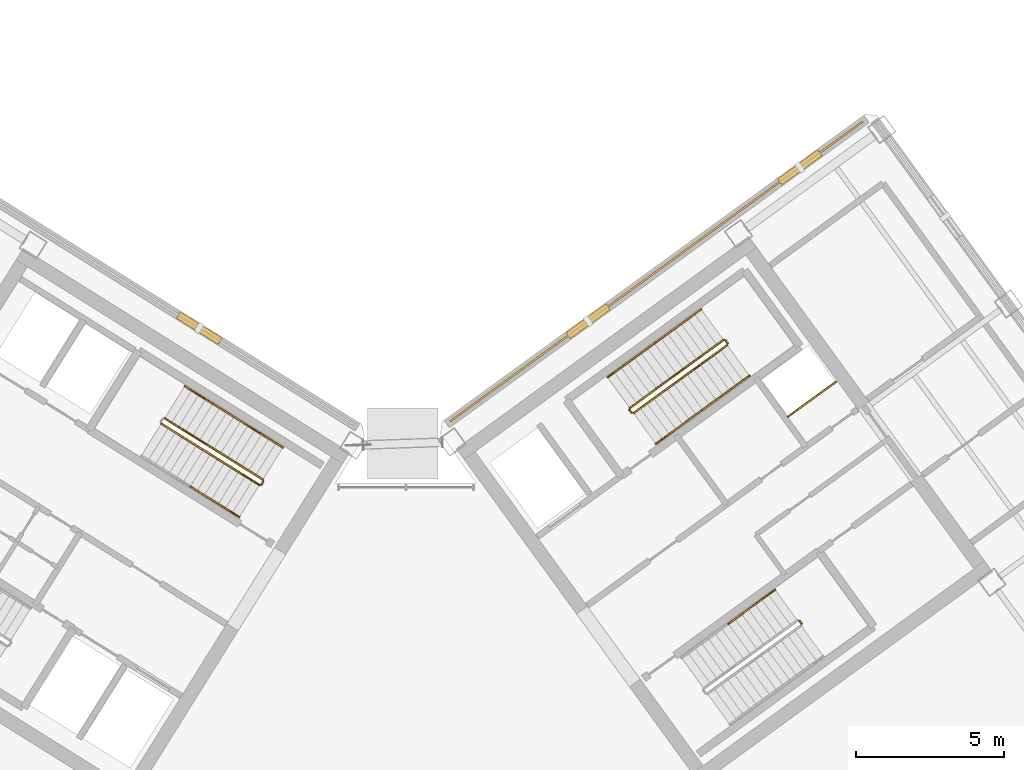
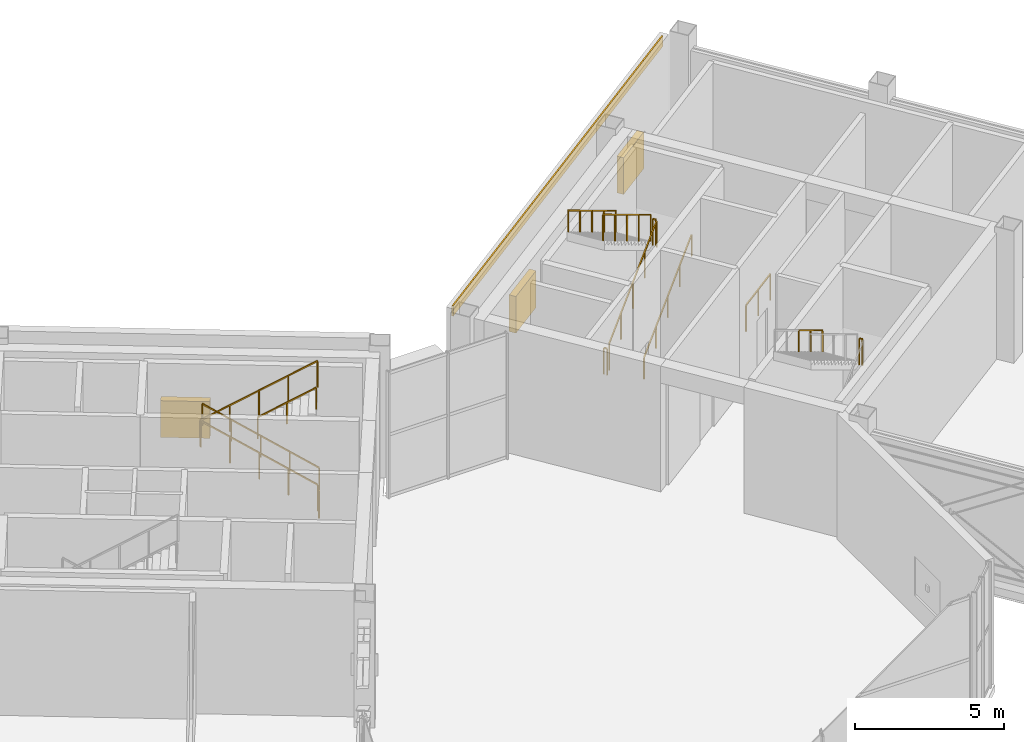
# One storey, part 31 of 32: 17 railings, 3 shading devices, 1 covering.
"""IFC4 building model written with IfcOpenShell, lengths in metres."""

from ifc_helpers import new_model, si_unit, direction, frame, origin, origin_2d, place, context, subcontext, project, spatial, rectangle, extrude, source, transform, mapped, material, layer, layer_set, type_object, element, save


model = new_model("IFC4")

# Units and contexts
model_context = context("Model", 3, precision=1e-05, world=origin(), true_north=direction((0.0, 1.0)))
body_context = subcontext(model_context, "Body", "Model", "MODEL_VIEW")
ifc_project = project(units=[si_unit("LENGTHUNIT", "METRE"), si_unit("AREAUNIT", "SQUARE_METRE"), si_unit("VOLUMEUNIT", "CUBIC_METRE"), si_unit("PLANEANGLEUNIT", "RADIAN"), si_unit("MASSUNIT", "GRAM", prefix="KILO")], contexts=[model_context])

# Site, building, storey
site_placement = place(None, origin())
site = spatial("IfcSite", under=ifc_project, at=site_placement, CompositionType="ELEMENT")
building_placement = place(site_placement, origin())
building = spatial("IfcBuilding", under=site, at=building_placement, Name="Tlacorven Tower", CompositionType="ELEMENT")
storey_placement = place(building_placement, frame((0.0, 0.0, 245.699951171875)))
storey = spatial("IfcBuildingStorey", under=building, at=storey_placement, Name="L62", CompositionType="ELEMENT", Elevation=245.699951171875)

# Railing
ifc_material_1 = material(Name="Aluminium and painted steel balustrade", Category="steel")
railing_type_1 = type_object("IfcRailingType", Name="RL-GRD-1100", PredefinedType="GUARDRAIL", material=ifc_material_1)
shared_shape_1 = source(origin(), body_context, "Body", "SweptSolid", [
    extrude(rectangle(XDim=0.048095703125, YDim=0.048095703125, at=origin_2d()), frame((0.0, 0.0, 1.076171875), z_axis=(0.808947177504, 0.587881334972, 0.0), x_axis=(-0.587881334972, 0.808947177504, 0.0)), (0.0, 0.0, 1.0), 2.0),
    extrude(rectangle(XDim=0.0419921875, YDim=0.0419921875, at=origin_2d()), origin(), (0.0, 0.0, 1.0), 1.052001953125),
    extrude(rectangle(XDim=0.0419921875, YDim=0.0419921875, at=origin_2d()), frame((0.80908203125, 0.587890625, 0.0)), (0.0, 0.0, 1.0), 1.052001953125),
    extrude(rectangle(XDim=0.0419921875, YDim=0.0419921875, at=origin_2d()), frame((1.617919921875, 1.17578125, 0.0)), (0.0, 0.0, 1.0), 1.052001953125),
])
railing_1_placement = place(storey_placement, frame((55.506103515625, 25.438232421875, 0.0)))
element("IfcRailing", 1, at=railing_1_placement, inside=storey, type_object=railing_type_1, Name="L62 Electrical Riser E Shaft Guard 1", PredefinedType="GUARDRAIL", context=body_context, shape_type="MappedRepresentation", body=[
    mapped(shared_shape_1, transform((0.0, 0.0, 0.0), scale=1.0)),
])

# Covering
ifc_material_2 = material(Name="Precast concrete C45/55", Category="concrete")
ifc_layer = layer(ifc_material_2, 0.06005859375)
ifc_layer_set = layer_set([ifc_layer], Name="Precast concrete C45/55")
covering_type = type_object("IfcCoveringType", Name="CV-CLD-TERC", PredefinedType="CLADDING", material=ifc_layer_set)
shared_shape_2 = source(origin(), body_context, "Body", "SweptSolid", [
    extrude(rectangle(XDim=17.287353515625, YDim=0.06005859375, at=origin_2d()), origin(), (0.0, 0.0, 1.0), 0.419921875),
])
covering_placement = place(storey_placement, frame((51.05224609375, 30.360595703125, 4.72998046875), z_axis=(0.0, 0.0, 1.0), x_axis=(0.809017097486, 0.587785110372, 0.0)))
element("IfcCovering", 2, at=covering_placement, inside=storey, type_object=covering_type, Name="L62 Masonry-Frame Spandrel Cladding 4", PredefinedType="CLADDING", context=body_context, shape_type="MappedRepresentation", body=[
    mapped(shared_shape_2, transform((0.0, 0.0, 0.0), scale=1.0)),
])

# Shading devices
ifc_material_3 = material(Name="Anodised bronze aluminium acoustic louvre", Category="aluminium")
shading_device_type = type_object("IfcShadingDeviceType", Name="SH-LVR-WND", PredefinedType="JALOUSIE", material=ifc_material_3)
shared_shape_3 = source(origin(), body_context, "Body", "SweptSolid", [
    extrude(rectangle(XDim=1.659912109375, YDim=0.25, at=origin_2d()), origin(), (0.0, 0.0, 1.0), 1.5),
])
for number, where, z_axis, x_axis, name in (
    (3, (35.55810546875, 28.440673828125, 0.900146484375), (0.0, 0.0, 1.0), (0.84804812172, -0.529919223323, 0.0), "L62 Storm-Resistant Acoustic Louvre Bank 3.4"),
    (4, (48.735107421875, 28.677001953125, 0.900146484375), (0.0, 0.0, 1.0), (0.809017097486, 0.587785110372, 0.0), "L62 Storm-Resistant Acoustic Louvre Bank 4.1"),
    (5, (55.90625, 33.88720703125, 0.900146484375), (0.0, 0.0, 1.0), (0.809017097486, 0.587785110372, 0.0), "L62 Storm-Resistant Acoustic Louvre Bank 4.2"),
):
    element("IfcShadingDevice", number, at=place(storey_placement, frame(where, z_axis=z_axis, x_axis=x_axis)), inside=storey, type_object=shading_device_type, Name=name, PredefinedType="JALOUSIE", context=body_context, shape_type="MappedRepresentation", body=[
        mapped(shared_shape_3, transform((0.0, 0.0, 0.0), scale=1.0)),
    ])

# Railings
shared_shape_4 = source(origin(), body_context, "Body", "SweptSolid", [
    extrude(rectangle(XDim=0.048095703125, YDim=0.048095703125, at=origin_2d()), frame((0.0, 0.0, 1.076171875), z_axis=(-0.530546985787, -0.847655529016, 0.0), x_axis=(0.847655529016, -0.530546985787, 0.0)), (0.0, 0.0, 1.0), 0.1201171875),
    extrude(rectangle(XDim=0.0419921875, YDim=0.0419921875, at=origin_2d()), origin(), (0.0, 0.0, 1.0), 1.052001953125),
    extrude(rectangle(XDim=0.0419921875, YDim=0.0419921875, at=origin_2d()), frame((-0.063720703125, -0.101806640625, 0.0)), (0.0, 0.0, 1.0), 1.052001953125),
])
railing_2_placement = place(storey_placement, frame((37.728271484375, 23.24072265625, 0.0)))
element("IfcRailing", 6, at=railing_2_placement, inside=storey, type_object=railing_type_1, Name="L62 ST-W2 stair guard 4", PredefinedType="GUARDRAIL", context=body_context, shape_type="MappedRepresentation", body=[
    mapped(shared_shape_4, transform((0.0, 0.0, 0.0), scale=1.0)),
])
shared_shape_5 = source(origin(), body_context, "Body", "SweptSolid", [
    extrude(rectangle(XDim=0.048095703125, YDim=0.048095703125, at=origin_2d()), frame((0.0, 0.0, 1.076171875), z_axis=(-0.713353726602, 0.445741297439, 0.540778287749), x_axis=(-0.52990936055, -0.848054284584, 0.0)), (0.0, 0.0, 1.0), 4.659912109375),
    extrude(rectangle(XDim=0.0419921875, YDim=0.0419921875, at=origin_2d()), origin(), (0.0, 0.0, 1.0), 1.052001953125),
    extrude(rectangle(XDim=0.0419921875, YDim=0.0419921875, at=origin_2d()), frame((-0.8310546875, 0.519287109375, 0.6298828125)), (0.0, 0.0, 1.0), 1.052001953125),
    extrude(rectangle(XDim=0.0419921875, YDim=0.0419921875, at=origin_2d()), frame((-1.662109375, 1.03857421875, 1.260009765625)), (0.0, 0.0, 1.0), 1.052001953125),
    extrude(rectangle(XDim=0.0419921875, YDim=0.0419921875, at=origin_2d()), frame((-2.4931640625, 1.557861328125, 1.89013671875)), (0.0, 0.0, 1.0), 1.052001953125),
    extrude(rectangle(XDim=0.0419921875, YDim=0.0419921875, at=origin_2d()), frame((-3.32421875, 2.0771484375, 2.52001953125)), (0.0, 0.0, 1.0), 1.052001953125),
])
railing_3_placement = place(storey_placement, frame((37.712158203125, 23.3095703125, 0.179931640625)))
element("IfcRailing", 7, at=railing_3_placement, inside=storey, type_object=railing_type_1, Name="L62 ST-W2 stair guard 1", PredefinedType="GUARDRAIL", context=body_context, shape_type="MappedRepresentation", body=[
    mapped(shared_shape_5, transform((0.0, 0.0, 0.0), scale=1.0)),
])
shared_shape_6 = source(origin(), body_context, "Body", "SweptSolid", [
    extrude(rectangle(XDim=0.048095703125, YDim=0.048095703125, at=origin_2d()), frame((0.0, 0.0, 1.076171875), z_axis=(0.713379455689, -0.445724638981, 0.540758077523), x_axis=(0.529881371968, 0.848071772695, 0.0)), (0.0, 0.0, 1.0), 4.66015625),
    extrude(rectangle(XDim=0.0419921875, YDim=0.0419921875, at=origin_2d()), origin(), (0.0, 0.0, 1.0), 1.052001953125),
    extrude(rectangle(XDim=0.0419921875, YDim=0.0419921875, at=origin_2d()), frame((0.8310546875, -0.519287109375, 0.6298828125)), (0.0, 0.0, 1.0), 1.052001953125),
    extrude(rectangle(XDim=0.0419921875, YDim=0.0419921875, at=origin_2d()), frame((1.662109375, -1.03857421875, 1.260009765625)), (0.0, 0.0, 1.0), 1.052001953125),
    extrude(rectangle(XDim=0.0419921875, YDim=0.0419921875, at=origin_2d()), frame((2.493408203125, -1.557861328125, 1.89013671875)), (0.0, 0.0, 1.0), 1.052001953125),
    extrude(rectangle(XDim=0.0419921875, YDim=0.0419921875, at=origin_2d()), frame((3.324462890625, -2.0771484375, 2.52001953125)), (0.0, 0.0, 1.0), 1.052001953125),
])
railing_4_placement = place(storey_placement, frame((34.271240234375, 25.2001953125, 2.880126953125)))
element("IfcRailing", 8, at=railing_4_placement, inside=storey, type_object=railing_type_1, Name="L62 ST-W2 stair guard 3", PredefinedType="GUARDRAIL", context=body_context, shape_type="MappedRepresentation", body=[
    mapped(shared_shape_6, transform((0.0, 0.0, 0.0), scale=1.0)),
])
railing_type_2 = type_object("IfcRailingType", Name="RL-HND-0900", PredefinedType="HANDRAIL", material=ifc_material_1)
shared_shape_7 = source(origin(), body_context, "Body", "SweptSolid", [
    extrude(rectangle(XDim=0.048095703125, YDim=0.048095703125, at=origin_2d()), frame((0.0, 0.0, 0.8759765625), z_axis=(-0.713405181892, 0.445707981167, 0.540737868078), x_axis=(-0.529853385765, -0.848089258034, 0.0)), (0.0, 0.0, 1.0), 2.330078125),
    extrude(rectangle(XDim=0.0419921875, YDim=0.0419921875, at=origin_2d()), origin(), (0.0, 0.0, 1.0), 0.851806640625),
    extrude(rectangle(XDim=0.0419921875, YDim=0.0419921875, at=origin_2d()), frame((-0.8310546875, 0.519287109375, 0.6298828125)), (0.0, 0.0, 1.0), 0.851806640625),
    extrude(rectangle(XDim=0.0419921875, YDim=0.0419921875, at=origin_2d()), frame((-1.662353515625, 1.03857421875, 1.260009765625)), (0.0, 0.0, 1.0), 0.851806640625),
])
railing_5_placement = place(storey_placement, frame((38.390625, 24.39501953125, 0.179931640625)))
element("IfcRailing", 9, at=railing_5_placement, inside=storey, type_object=railing_type_2, Name="L62 ST-W2 stair handrail 1", PredefinedType="HANDRAIL", context=body_context, shape_type="MappedRepresentation", body=[
    mapped(shared_shape_7, transform((0.0, 0.0, 0.0), scale=1.0)),
])
shared_shape_8 = source(origin(), body_context, "Body", "SweptSolid", [
    extrude(rectangle(XDim=0.048095703125, YDim=0.048095703125, at=origin_2d()), frame((0.0, 0.0, 0.8759765625), z_axis=(-0.71332040746, 0.445825254663, 0.540753029216), x_axis=(-0.529998940003, -0.847998304005, 0.0)), (0.0, 0.0, 1.0), 2.330078125),
    extrude(rectangle(XDim=0.0419921875, YDim=0.0419921875, at=origin_2d()), origin(), (0.0, 0.0, 1.0), 0.851806640625),
    extrude(rectangle(XDim=0.0419921875, YDim=0.0419921875, at=origin_2d()), frame((-0.8310546875, 0.51953125, 0.6298828125)), (0.0, 0.0, 1.0), 0.851806640625),
    extrude(rectangle(XDim=0.0419921875, YDim=0.0419921875, at=origin_2d()), frame((-1.662109375, 1.038818359375, 1.260009765625)), (0.0, 0.0, 1.0), 0.851806640625),
])
railing_6_placement = place(storey_placement, frame((36.728271484375, 25.43359375, 1.43994140625)))
element("IfcRailing", 10, at=railing_6_placement, inside=storey, type_object=railing_type_2, Name="L62 ST-W2 stair handrail 2", PredefinedType="HANDRAIL", context=body_context, shape_type="MappedRepresentation", body=[
    mapped(shared_shape_8, transform((0.0, 0.0, 0.0), scale=1.0)),
])
shared_shape_9 = source(origin(), body_context, "Body", "SweptSolid", [
    extrude(rectangle(XDim=0.048095703125, YDim=0.048095703125, at=origin_2d()), frame((0.0, 0.0, 0.8759765625), z_axis=(0.713371865327, -0.445791935228, 0.540712615208), x_axis=(0.529942963146, 0.848033286971, 0.0)), (0.0, 0.0, 1.0), 2.330322265625),
    extrude(rectangle(XDim=0.0419921875, YDim=0.0419921875, at=origin_2d()), origin(), (0.0, 0.0, 1.0), 0.851806640625),
    extrude(rectangle(XDim=0.0419921875, YDim=0.0419921875, at=origin_2d()), frame((0.8310546875, -0.51953125, 0.6298828125)), (0.0, 0.0, 1.0), 0.851806640625),
    extrude(rectangle(XDim=0.0419921875, YDim=0.0419921875, at=origin_2d()), frame((1.662353515625, -1.038818359375, 1.260009765625)), (0.0, 0.0, 1.0), 0.851806640625),
])
railing_7_placement = place(storey_placement, frame((35.255126953125, 23.076171875, 4.14013671875)))
element("IfcRailing", 11, at=railing_7_placement, inside=storey, type_object=railing_type_2, Name="L62 ST-W2 stair handrail 4", PredefinedType="HANDRAIL", context=body_context, shape_type="MappedRepresentation", body=[
    mapped(shared_shape_9, transform((0.0, 0.0, 0.0), scale=1.0)),
])
shared_shape_10 = source(origin(), body_context, "Body", "SweptSolid", [
    extrude(rectangle(XDim=0.048095703125, YDim=0.048095703125, at=origin_2d()), frame((0.0, 0.0, 1.076171875), z_axis=(-0.587567097037, 0.809175448515, 0.0), x_axis=(-0.809175448515, -0.587567097037, 0.0)), (0.0, 0.0, 1.0), 0.1201171875),
    extrude(rectangle(XDim=0.0419921875, YDim=0.0419921875, at=origin_2d()), origin(), (0.0, 0.0, 1.0), 1.052001953125),
    extrude(rectangle(XDim=0.0419921875, YDim=0.0419921875, at=origin_2d()), frame((-0.070556640625, 0.09716796875, 0.0)), (0.0, 0.0, 1.0), 1.052001953125),
])
railing_8_placement = place(storey_placement, frame((53.459716796875, 27.931640625, 2.699951171875)))
element("IfcRailing", 12, at=railing_8_placement, inside=storey, type_object=railing_type_1, Name="L62 ST-E1 stair guard 2", PredefinedType="GUARDRAIL", context=body_context, shape_type="MappedRepresentation", body=[
    mapped(shared_shape_10, transform((0.0, 0.0, 0.0), scale=1.0)),
])
shared_shape_11 = source(origin(), body_context, "Body", "SweptSolid", [
    extrude(rectangle(XDim=0.048095703125, YDim=0.048095703125, at=origin_2d()), frame((0.0, 0.0, 1.076171875), z_axis=(-0.587201422542, 0.809440849824, 0.0), x_axis=(-0.809440849824, -0.587201422542, 0.0)), (0.0, 0.0, 1.0), 0.11962890625),
    extrude(rectangle(XDim=0.0419921875, YDim=0.0419921875, at=origin_2d()), origin(), (0.0, 0.0, 1.0), 1.052001953125),
    extrude(rectangle(XDim=0.0419921875, YDim=0.0419921875, at=origin_2d()), frame((-0.0703125, 0.096923828125, 0.0)), (0.0, 0.0, 1.0), 1.052001953125),
])
railing_9_placement = place(storey_placement, frame((50.207275390625, 25.56884765625, 0.0)))
element("IfcRailing", 13, at=railing_9_placement, inside=storey, type_object=railing_type_1, Name="L62 ST-E1 stair guard 4", PredefinedType="GUARDRAIL", context=body_context, shape_type="MappedRepresentation", body=[
    mapped(shared_shape_11, transform((0.0, 0.0, 0.0), scale=1.0)),
])
shared_shape_12 = source(origin(), body_context, "Body", "SweptSolid", [
    extrude(rectangle(XDim=0.048095703125, YDim=0.048095703125, at=origin_2d()), frame((0.0, 0.0, 1.076171875), z_axis=(0.680514408703, 0.494419468391, 0.540786028688), x_axis=(-0.587782769792, 0.809018798011, 0.0)), (0.0, 0.0, 1.0), 4.659912109375),
    extrude(rectangle(XDim=0.0419921875, YDim=0.0419921875, at=origin_2d()), origin(), (0.0, 0.0, 1.0), 1.052001953125),
    extrude(rectangle(XDim=0.0419921875, YDim=0.0419921875, at=origin_2d()), frame((0.792724609375, 0.575927734375, 0.6298828125)), (0.0, 0.0, 1.0), 1.052001953125),
    extrude(rectangle(XDim=0.0419921875, YDim=0.0419921875, at=origin_2d()), frame((1.58544921875, 1.15185546875, 1.260009765625)), (0.0, 0.0, 1.0), 1.052001953125),
    extrude(rectangle(XDim=0.0419921875, YDim=0.0419921875, at=origin_2d()), frame((2.37841796875, 1.72802734375, 1.89013671875)), (0.0, 0.0, 1.0), 1.052001953125),
    extrude(rectangle(XDim=0.0419921875, YDim=0.0419921875, at=origin_2d()), frame((3.171142578125, 2.303955078125, 2.52001953125)), (0.0, 0.0, 1.0), 1.052001953125),
])
railing_10_placement = place(storey_placement, frame((50.27734375, 25.557861328125, 0.179931640625)))
element("IfcRailing", 14, at=railing_10_placement, inside=storey, type_object=railing_type_1, Name="L62 ST-E1 stair guard 1", PredefinedType="GUARDRAIL", context=body_context, shape_type="MappedRepresentation", body=[
    mapped(shared_shape_12, transform((0.0, 0.0, 0.0), scale=1.0)),
])
shared_shape_13 = source(origin(), body_context, "Body", "SweptSolid", [
    extrude(rectangle(XDim=0.048095703125, YDim=0.048095703125, at=origin_2d()), frame((0.0, 0.0, 1.076171875), z_axis=(-0.680542536252, -0.494401841002, 0.540766748206), x_axis=(0.587753152711, -0.809040315113, 0.0)), (0.0, 0.0, 1.0), 4.66015625),
    extrude(rectangle(XDim=0.0419921875, YDim=0.0419921875, at=origin_2d()), origin(), (0.0, 0.0, 1.0), 1.052001953125),
    extrude(rectangle(XDim=0.0419921875, YDim=0.0419921875, at=origin_2d()), frame((-0.79296875, -0.575927734375, 0.6298828125)), (0.0, 0.0, 1.0), 1.052001953125),
    extrude(rectangle(XDim=0.0419921875, YDim=0.0419921875, at=origin_2d()), frame((-1.585693359375, -1.15185546875, 1.260009765625)), (0.0, 0.0, 1.0), 1.052001953125),
    extrude(rectangle(XDim=0.0419921875, YDim=0.0419921875, at=origin_2d()), frame((-2.37841796875, -1.72802734375, 1.89013671875)), (0.0, 0.0, 1.0), 1.052001953125),
    extrude(rectangle(XDim=0.0419921875, YDim=0.0419921875, at=origin_2d()), frame((-3.17138671875, -2.303955078125, 2.52001953125)), (0.0, 0.0, 1.0), 1.052001953125),
])
railing_11_placement = place(storey_placement, frame((53.3193359375, 28.039794921875, 2.880126953125)))
element("IfcRailing", 15, at=railing_11_placement, inside=storey, type_object=railing_type_1, Name="L62 ST-E1 stair guard 3", PredefinedType="GUARDRAIL", context=body_context, shape_type="MappedRepresentation", body=[
    mapped(shared_shape_13, transform((0.0, 0.0, 0.0), scale=1.0)),
])
shared_shape_14 = source(origin(), body_context, "Body", "SweptSolid", [
    extrude(rectangle(XDim=0.048095703125, YDim=0.048095703125, at=origin_2d()), frame((0.0, 0.0, 0.8759765625), z_axis=(0.680524908878, 0.494441423402, 0.540752741297), x_axis=(-0.587793916777, 0.809010699188, 0.0)), (0.0, 0.0, 1.0), 2.330078125),
    extrude(rectangle(XDim=0.0419921875, YDim=0.0419921875, at=origin_2d()), origin(), (0.0, 0.0, 1.0), 0.851806640625),
    extrude(rectangle(XDim=0.0419921875, YDim=0.0419921875, at=origin_2d()), frame((0.79296875, 0.576171875, 0.6298828125)), (0.0, 0.0, 1.0), 0.851806640625),
    extrude(rectangle(XDim=0.0419921875, YDim=0.0419921875, at=origin_2d()), frame((1.585693359375, 1.152099609375, 1.260009765625)), (0.0, 0.0, 1.0), 0.851806640625),
])
for number, where, name in (
    (16, (51.029541015625, 24.522216796875, 0.179931640625), "L62 ST-E1 stair handrail 1"),
    (17, (52.615234375, 25.67431640625, 1.43994140625), "L62 ST-E1 stair handrail 2"),
):
    element("IfcRailing", number, at=place(storey_placement, frame(where)), inside=storey, type_object=railing_type_2, Name=name, PredefinedType="HANDRAIL", context=body_context, shape_type="MappedRepresentation", body=[
        mapped(shared_shape_14, transform((0.0, 0.0, 0.0), scale=1.0)),
    ])
shared_shape_15 = source(origin(), body_context, "Body", "SweptSolid", [
    extrude(rectangle(XDim=0.048095703125, YDim=0.048095703125, at=origin_2d()), frame((0.0, 0.0, 0.8759765625), z_axis=(-0.680524908878, -0.494441423402, 0.540752741297), x_axis=(0.587793916777, -0.809010699188, 0.0)), (0.0, 0.0, 1.0), 2.330078125),
    extrude(rectangle(XDim=0.0419921875, YDim=0.0419921875, at=origin_2d()), origin(), (0.0, 0.0, 1.0), 0.851806640625),
    extrude(rectangle(XDim=0.0419921875, YDim=0.0419921875, at=origin_2d()), frame((-0.79296875, -0.576171875, 0.6298828125)), (0.0, 0.0, 1.0), 0.851806640625),
    extrude(rectangle(XDim=0.0419921875, YDim=0.0419921875, at=origin_2d()), frame((-1.585693359375, -1.152099609375, 1.260009765625)), (0.0, 0.0, 1.0), 0.851806640625),
])
for number, where, name in (
    (18, (52.56689453125, 29.075439453125, 2.880126953125), "L62 ST-E1 stair handrail 3"),
    (19, (50.981201171875, 27.92333984375, 4.14013671875), "L62 ST-E1 stair handrail 4"),
):
    element("IfcRailing", number, at=place(storey_placement, frame(where)), inside=storey, type_object=railing_type_2, Name=name, PredefinedType="HANDRAIL", context=body_context, shape_type="MappedRepresentation", body=[
        mapped(shared_shape_15, transform((0.0, 0.0, 0.0), scale=1.0)),
    ])
shared_shape_16 = source(origin(), body_context, "Body", "SweptSolid", [
    extrude(rectangle(XDim=0.048095703125, YDim=0.048095703125, at=origin_2d()), frame((0.0, 0.0, 1.076171875), z_axis=(-0.588534897514, 0.808471814232, 0.0), x_axis=(-0.808471814232, -0.588534897514, 0.0)), (0.0, 0.0, 1.0), 0.119873046875),
    extrude(rectangle(XDim=0.0419921875, YDim=0.0419921875, at=origin_2d()), origin(), (0.0, 0.0, 1.0), 1.052001953125),
    extrude(rectangle(XDim=0.0419921875, YDim=0.0419921875, at=origin_2d()), frame((-0.070556640625, 0.096923828125, 0.0)), (0.0, 0.0, 1.0), 1.052001953125),
])
railing_12_placement = place(storey_placement, frame((55.963623046875, 18.4287109375, 2.699951171875)))
element("IfcRailing", 20, at=railing_12_placement, inside=storey, type_object=railing_type_1, Name="L62 ST-E2 stair guard 2", PredefinedType="GUARDRAIL", context=body_context, shape_type="MappedRepresentation", body=[
    mapped(shared_shape_16, transform((0.0, 0.0, 0.0), scale=1.0)),
])
shared_shape_17 = source(origin(), body_context, "Body", "SweptSolid", [
    extrude(rectangle(XDim=0.048095703125, YDim=0.048095703125, at=origin_2d()), frame((0.0, 0.0, 0.8759765625), z_axis=(-0.680468649714, -0.494476679704, 0.540791299842), x_axis=(0.587853152907, -0.808967657337, 0.0)), (0.0, 0.0, 1.0), 2.329833984375),
    extrude(rectangle(XDim=0.0419921875, YDim=0.0419921875, at=origin_2d()), origin(), (0.0, 0.0, 1.0), 0.851806640625),
    extrude(rectangle(XDim=0.0419921875, YDim=0.0419921875, at=origin_2d()), frame((-0.792724609375, -0.576171875, 0.6298828125)), (0.0, 0.0, 1.0), 0.851806640625),
    extrude(rectangle(XDim=0.0419921875, YDim=0.0419921875, at=origin_2d()), frame((-1.58544921875, -1.152099609375, 1.260009765625)), (0.0, 0.0, 1.0), 0.851806640625),
])
railing_13_placement = place(storey_placement, frame((55.07080078125, 19.572265625, 2.880126953125)))
element("IfcRailing", 21, at=railing_13_placement, inside=storey, type_object=railing_type_2, Name="L62 ST-E2 stair handrail 3", PredefinedType="HANDRAIL", context=body_context, shape_type="MappedRepresentation", body=[
    mapped(shared_shape_17, transform((0.0, 0.0, 0.0), scale=1.0)),
])

save(model, "model.ifc")
